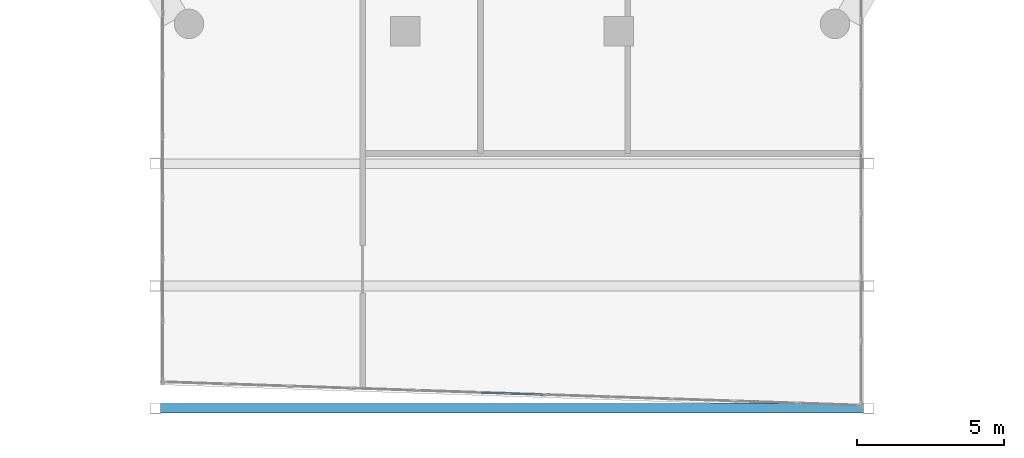
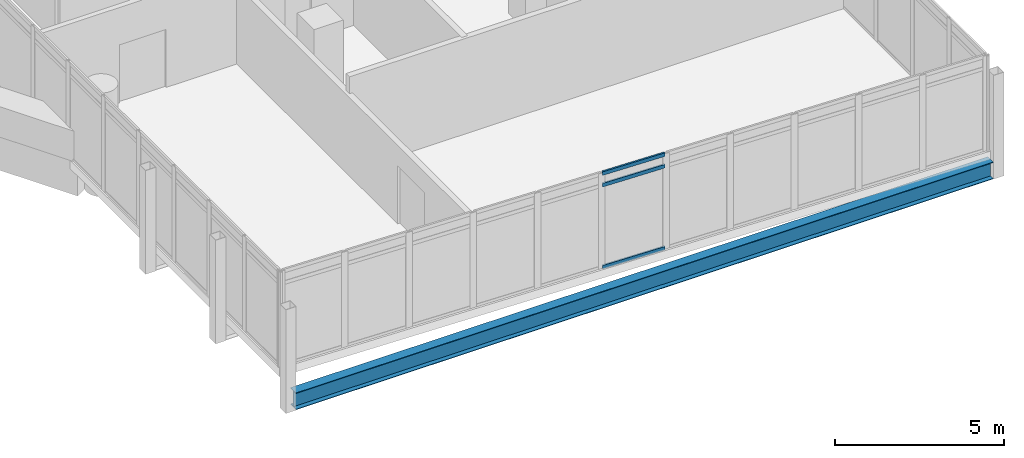
# One storey, part 4 of 37: 3 members, 1 beam, 1 element without a shape of its own.
"""IFC4 building model written with IfcOpenShell, lengths in metres."""

import ifcopenshell
import ifcopenshell.guid

model = None  # the IFC model being written
_history = None  # IfcOwnerHistory: only IFC2X3 demands one
_inside = {}  # id of a spatial element -> (the spatial element, [elements in it])
_under = {}  # id of a project, library or spatial element -> (it, [spatial elements below it])
_declared = {}  # id of a project -> (the project, [libraries it declares])
_typed = {}  # id of a type object -> (the type object, [elements of that type])
_made_of = {}  # id of a material, layer set ... -> (it, [elements and type objects made of it])


def new_model(schema):
    """Start an empty IFC model of exactly this schema.

    Asked for "IFC4X3", IfcOpenShell would pick the latest addendum, in which some entities
    have other attributes; the version numbers below select the first issue.
    IFC2X3 requires an IfcOwnerHistory on every rooted entity: one is made here for all.
    """
    global model, _history
    if schema == "IFC4X3":
        model = ifcopenshell.file(schema_version=(4, 3, 0, 0))
    else:
        model = ifcopenshell.file(schema=schema)
    _inside.clear()
    _under.clear()
    _declared.clear()
    _typed.clear()
    _made_of.clear()
    _history = None
    if model.schema == "IFC2X3":
        org = make("IfcOrganization", Name="unknown")
        user = make(
            "IfcPersonAndOrganization",
            ThePerson=make("IfcPerson", FamilyName="unknown"),
            TheOrganization=org,
        )
        app = make(
            "IfcApplication",
            ApplicationDeveloper=org,
            Version="unknown",
            ApplicationFullName="unknown",
            ApplicationIdentifier="unknown",
        )
        _history = make(
            "IfcOwnerHistory",
            OwningUser=user,
            OwningApplication=app,
            ChangeAction="ADDED",
            CreationDate=0,
        )
    return model


def make(cls, **values):
    """One entity of the class cls with the attributes given. An attribute that is None is left unset."""
    return model.create_entity(
        cls, **{name: value for name, value in values.items() if value is not None}
    )


def rooted(cls, **values):
    """An entity with a GlobalId (a new one), such as an element, a storey or a relation."""
    return make(cls, GlobalId=ifcopenshell.guid.new(), OwnerHistory=_history, **values)


def si_unit(unit_type, name, prefix=None):
    """IfcSIUnit, for example si_unit("LENGTHUNIT", "METRE", prefix="MILLI")."""
    return make("IfcSIUnit", UnitType=unit_type, Prefix=prefix, Name=name)


def assignment(units):
    """IfcUnitAssignment: the units of a project."""
    return None if units is None else make("IfcUnitAssignment", Units=units)


def point(xyz):
    """IfcCartesianPoint."""
    return None if xyz is None else make("IfcCartesianPoint", Coordinates=xyz)


def direction(xyz):
    """IfcDirection."""
    return None if xyz is None else make("IfcDirection", DirectionRatios=xyz)


def frame(location, z_axis=None, x_axis=None):
    """IfcAxis2Placement3D, a coordinate frame: its origin and axes. An axis left out is left unset."""
    return make(
        "IfcAxis2Placement3D",
        Location=point(location),
        Axis=direction(z_axis),
        RefDirection=direction(x_axis),
    )


def frame_2d(location, x_axis=None):
    """IfcAxis2Placement2D, a coordinate frame in the plane: its origin and x axis."""
    return make(
        "IfcAxis2Placement2D", Location=point(location), RefDirection=direction(x_axis)
    )


def origin():
    """The frame at (0, 0, 0) with its axes left unset."""
    return frame((0.0, 0.0, 0.0))


def origin_2d():
    """The frame at (0, 0) in the plane with its x axis left unset."""
    return frame_2d((0.0, 0.0))


def place(relative_to, where):
    """IfcLocalPlacement: puts the frame where relative to a parent placement (None: the world)."""
    return make(
        "IfcLocalPlacement", PlacementRelTo=relative_to, RelativePlacement=where
    )


def context(
    kind, dimensions, precision=None, world=None, true_north=None, identifier=None
):
    """IfcGeometricRepresentationContext, for example the 3D "Model" context."""
    return make(
        "IfcGeometricRepresentationContext",
        ContextIdentifier=identifier,
        ContextType=kind,
        CoordinateSpaceDimension=dimensions,
        Precision=precision,
        WorldCoordinateSystem=world,
        TrueNorth=true_north,
    )


def subcontext(parent, identifier, kind, view, scale=None):
    """IfcGeometricRepresentationSubContext, for example "Body" below "Model"."""
    return make(
        "IfcGeometricRepresentationSubContext",
        ContextIdentifier=identifier,
        ContextType=kind,
        ParentContext=parent,
        TargetScale=scale,
        TargetView=view,
    )


def project(units=None, contexts=None):
    """IfcProject with its units and contexts."""
    return rooted(
        "IfcProject",
        Name="project",
        RepresentationContexts=contexts,
        UnitsInContext=assignment(units),
    )


def spatial(cls, under=None, at=None, **own):
    """A site, building, storey or space (cls), placed at a placement, below another one or the project."""
    s = rooted(cls, ObjectPlacement=at, **own)
    if under is not None:
        _under.setdefault(under.id(), (under, []))[1].append(s)
    return s


def profile(cls, at=None, kind="AREA", **sizes):
    """A parametric profile (cls). Its sizes go by their IFC names, for example OverallWidth=200.0."""
    return make(cls, ProfileType=kind, Position=at, **sizes)


def hollow_rectangle(**sizes):
    """IfcRectangleHollowProfileDef."""
    return profile("IfcRectangleHollowProfileDef", **sizes)


def i_section(**sizes):
    """IfcIShapeProfileDef."""
    return profile("IfcIShapeProfileDef", **sizes)


def extrude(swept, where, along, depth):
    """IfcExtrudedAreaSolid: the profile swept, set in the frame where, extruded along a direction by depth."""
    return make(
        "IfcExtrudedAreaSolid",
        SweptArea=swept,
        Position=where,
        ExtrudedDirection=direction(along),
        Depth=depth,
    )


def shape(context_of_items, identifier, shape_type, items):
    """IfcShapeRepresentation: the items that make up one representation, for example the "Body"."""
    return make(
        "IfcShapeRepresentation",
        ContextOfItems=context_of_items,
        RepresentationIdentifier=identifier,
        RepresentationType=shape_type,
        Items=items,
    )


def material(Name=None, Category=None):
    """IfcMaterial."""
    return make("IfcMaterial", Name=Name, Category=Category)


def material_profile(
    of_material, cross_section, Name=None, Category=None, Priority=None
):
    """IfcMaterialProfile: a cross section and its material."""
    return make(
        "IfcMaterialProfile",
        Name=Name,
        Material=of_material,
        Profile=cross_section,
        Priority=Priority,
        Category=Category,
    )


def profile_set(profiles, Name=None, composite=None):
    """IfcMaterialProfileSet."""
    return make(
        "IfcMaterialProfileSet",
        Name=Name,
        MaterialProfiles=profiles,
        CompositeProfile=composite,
    )


def made_of(thing, what):
    """Note that an element or type object is made of a material, layer set ...; save() writes the relation."""
    if what is not None:
        _made_of.setdefault(what.id(), (what, []))[1].append(thing)
    return thing


def type_object(cls, material=None, **own):
    """A type object (cls), such as IfcWallType, which elements share."""
    return made_of(rooted(cls, **own), material)


def element(
    cls,
    number,
    at=None,
    inside=None,
    cuts=None,
    type_object=None,
    material=None,
    context=None,
    identifier="Body",
    shape_type=None,
    held_by="IfcProductDefinitionShape",
    body=None,
    shapes=None,
    **own,
):
    """One element of the class cls, such as IfcWall. Its Tag is "e" and its number.

    at: its placement. inside: the storey or other place that contains it. cuts: it is an
    opening in that element (IfcRelVoidsElement). A single representation is given by context,
    identifier, shape_type and body (its items); several are given by shapes. held_by: the class
    of the entity that holds the representations. save() writes the other relations.
    """
    e = rooted(cls, Tag="e%d" % number, ObjectPlacement=at, **own)
    if body is not None:
        shapes = [shape(context, identifier, shape_type, body)]
    if shapes is not None:
        e.Representation = make(held_by, Representations=shapes)
    if inside is not None:
        _inside.setdefault(inside.id(), (inside, []))[1].append(e)
    if cuts is not None:
        rooted(
            "IfcRelVoidsElement", RelatingBuildingElement=cuts, RelatedOpeningElement=e
        )
    if type_object is not None:
        _typed.setdefault(type_object.id(), (type_object, []))[1].append(e)
    return made_of(e, material)


def aggregate(whole, parts):
    """IfcRelAggregates: a whole, such as a stair, and the parts it consists of."""
    return rooted("IfcRelAggregates", RelatingObject=whole, RelatedObjects=parts)


def save(model, path):
    """Write the relations noted so far, then the file.

    IfcRelAggregates (storeys below a building ...), IfcRelContainedInSpatialStructure (elements
    in a storey), IfcRelDefinesByType, IfcRelAssociatesMaterial and IfcRelDeclares: one each for
    every whole, place, type object, material and project.
    """
    for whole, parts in _under.values():
        aggregate(whole, parts)
    for where, things in _inside.values():
        rooted(
            "IfcRelContainedInSpatialStructure",
            RelatedElements=things,
            RelatingStructure=where,
        )
    for kind, things in _typed.values():
        rooted("IfcRelDefinesByType", RelatedObjects=things, RelatingType=kind)
    for what, things in _made_of.values():
        rooted("IfcRelAssociatesMaterial", RelatedObjects=things, RelatingMaterial=what)
    for by, libraries in _declared.values():
        rooted("IfcRelDeclares", RelatingContext=by, RelatedDefinitions=libraries)
    model.write(path)


model = new_model("IFC4")

# Units and contexts
model_context = context("Model", 3, precision=1e-05, world=origin(), true_north=direction((0.0, 1.0)))
body_context = subcontext(model_context, "Body", "Model", "MODEL_VIEW")
ifc_project = project(units=[si_unit("LENGTHUNIT", "METRE"), si_unit("AREAUNIT", "SQUARE_METRE"), si_unit("VOLUMEUNIT", "CUBIC_METRE"), si_unit("PLANEANGLEUNIT", "RADIAN"), si_unit("MASSUNIT", "GRAM", prefix="KILO")], contexts=[model_context])

# Site, building, storey
site_placement = place(None, origin())
site = spatial("IfcSite", under=ifc_project, at=site_placement, CompositionType="ELEMENT")
building_placement = place(site_placement, origin())
building = spatial("IfcBuilding", under=site, at=building_placement, Name="Ostrander Bayou Hotel Tower", CompositionType="ELEMENT")
storey_placement = place(building_placement, frame((0.0, 0.0, 198.25)))
storey = spatial("IfcBuildingStorey", under=building, at=storey_placement, Name="L49", CompositionType="ELEMENT", Elevation=198.25)

# Curtain wall, members
ifc_material_1 = material(Name="Aluminium and clear glass", Category="aluminium")
curtain_wall_type = type_object("IfcCurtainWallType", Name="CW-BAR glazed wall", PredefinedType="NOTDEFINED", material=ifc_material_1)
curtain_wall_placement = place(storey_placement, origin())
curtain_wall = element("IfcCurtainWall", 1, at=curtain_wall_placement, inside=storey, type_object=curtain_wall_type, Name="CW-BAR L49:SB4S:T", PredefinedType="NOTDEFINED")
ifc_material_2 = material(Name="Aluminium", Category="aluminium")
ifc_material_profile_1 = material_profile(ifc_material_2, hollow_rectangle(XDim=0.06005859375, YDim=0.1298828125, WallThickness=0.00390625, at=origin_2d()))
ifc_profile_set_1 = profile_set([ifc_material_profile_1], Name="Aluminium")
member_type = type_object("IfcMemberType", Name="CW-BR transom 60 x 130 mm", PredefinedType="USERDEFINED", material=ifc_profile_set_1)
member_1_placement = place(storey_placement, frame((-1.0478515625, -29.614990234375, 0.030029296875), z_axis=(0.999441542075, -0.033415624718, 0.0), x_axis=(0.033415624718, 0.999441542075, 0.0)))
member_1 = element("IfcMember", 2, at=member_1_placement, type_object=member_type, Name="CW-BAR transom 6.1", ObjectType="TRANSOM", PredefinedType="USERDEFINED", context=body_context, shape_type="SweptSolid", body=[
    extrude(hollow_rectangle(XDim=0.06005859375, YDim=0.1298828125, WallThickness=0.00390625, at=origin_2d()), origin(), (0.0, 0.0, 1.0), 2.096923828125),
])
member_2_placement = place(storey_placement, frame((-1.0478515625, -29.614990234375, 3.0), z_axis=(0.999441542075, -0.033415624718, 0.0), x_axis=(0.033415624718, 0.999441542075, 0.0)))
member_2 = element("IfcMember", 3, at=member_2_placement, type_object=member_type, Name="CW-BAR transom 6.2", ObjectType="TRANSOM", PredefinedType="USERDEFINED", context=body_context, shape_type="SweptSolid", body=[
    extrude(hollow_rectangle(XDim=0.06005859375, YDim=0.1298828125, WallThickness=0.00390625, at=origin_2d()), origin(), (0.0, 0.0, 1.0), 2.096923828125),
])
member_3_placement = place(storey_placement, frame((-1.0478515625, -29.614990234375, 3.419921875), z_axis=(0.999441542075, -0.033415624718, 0.0), x_axis=(0.033415624718, 0.999441542075, 0.0)))
member_3 = element("IfcMember", 4, at=member_3_placement, type_object=member_type, Name="CW-BAR transom 6.3", ObjectType="TRANSOM", PredefinedType="USERDEFINED", context=body_context, shape_type="SweptSolid", body=[
    extrude(hollow_rectangle(XDim=0.06005859375, YDim=0.1298828125, WallThickness=0.00390625, at=origin_2d()), origin(), (0.0, 0.0, 1.0), 2.096923828125),
])
aggregate(curtain_wall, [member_1, member_2, member_3])

# Beam
ifc_material_3 = material(Name="Steel ASTM A992", Category="steel")
ifc_material_profile_2 = material_profile(ifc_material_3, i_section(OverallWidth=0.32373046875, OverallDepth=0.611083984375, WebThickness=0.0126953125, FlangeThickness=0.01904296875, at=origin_2d()))
ifc_profile_set_2 = profile_set([ifc_material_profile_2], Name="Steel ASTM A992")
beam_type = type_object("IfcBeamType", Name="TF2 bar floor beam W24x104", PredefinedType="BEAM", material=ifc_profile_set_2)
beam_placement = place(storey_placement, frame((-11.93212890625, -30.14990234375, -0.605712890625), z_axis=(1.0, 0.0, 0.0), x_axis=(0.0, 1.0, 0.0)))
element("IfcBeam", 5, at=beam_placement, inside=storey, type_object=beam_type, Name="TF2 SB4S L2-3", PredefinedType="BEAM", context=body_context, shape_type="SweptSolid", body=[
    extrude(i_section(OverallWidth=0.32373046875, OverallDepth=0.611083984375, WebThickness=0.0126953125, FlangeThickness=0.01904296875, at=origin_2d()), origin(), (0.0, 0.0, 1.0), 23.8642578125),
])

save(model, "model.ifc")
